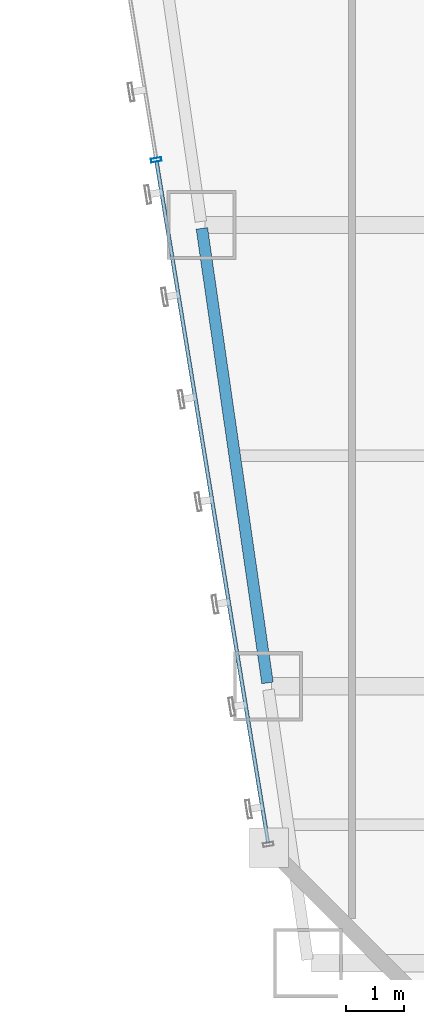
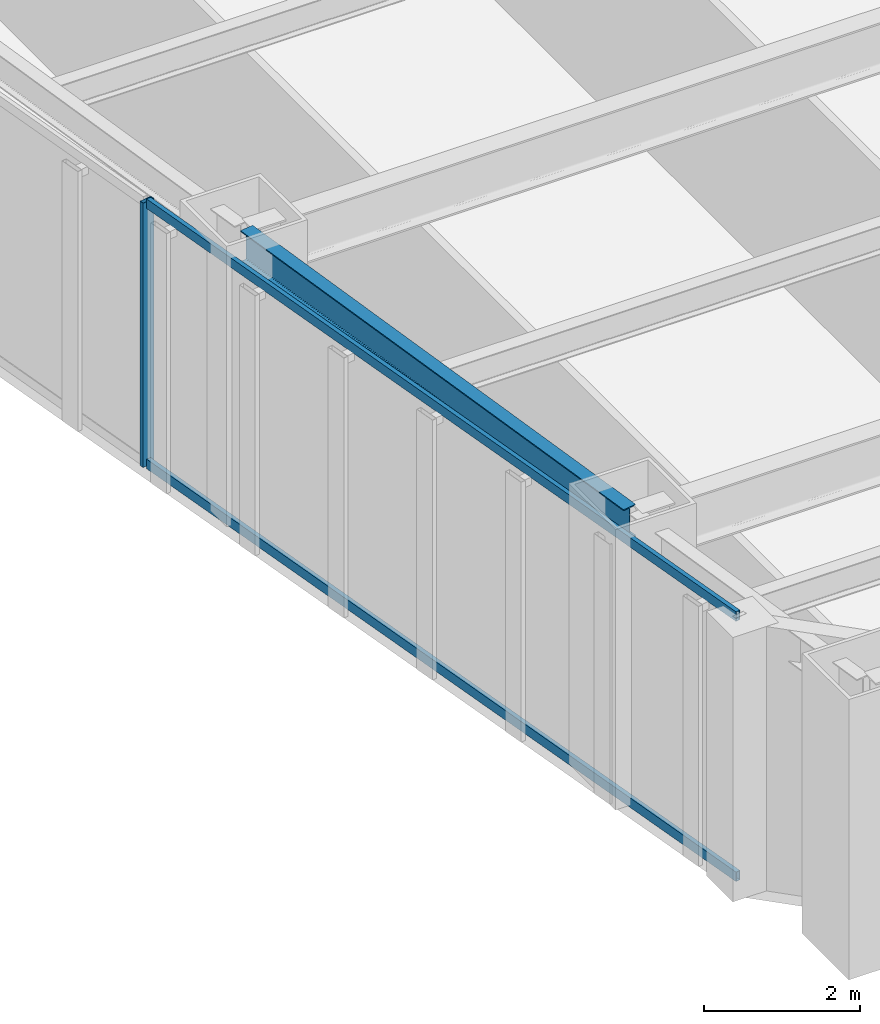
# One storey, part 5 of 49: 3 members, 1 beam, 1 element without a shape of its own.
"""IFC4 building model written with IfcOpenShell, lengths in metres."""

from ifc_helpers import new_model, si_unit, direction, frame, origin, origin_2d, place, context, subcontext, project, spatial, hollow_rectangle, i_section, extrude, material, material_profile, profile_set, type_object, element, aggregate, save


model = new_model("IFC4")

# Units and contexts
model_context = context("Model", 3, precision=1e-05, world=origin(), true_north=direction((0.0, 1.0)))
body_context = subcontext(model_context, "Body", "Model", "MODEL_VIEW")
ifc_project = project(units=[si_unit("LENGTHUNIT", "METRE"), si_unit("AREAUNIT", "SQUARE_METRE"), si_unit("VOLUMEUNIT", "CUBIC_METRE"), si_unit("PLANEANGLEUNIT", "RADIAN"), si_unit("MASSUNIT", "GRAM", prefix="KILO")], contexts=[model_context])

# Site, building, storey
site_placement = place(None, origin())
site = spatial("IfcSite", under=ifc_project, at=site_placement, CompositionType="ELEMENT")
building_placement = place(site_placement, origin())
building = spatial("IfcBuilding", under=site, at=building_placement, Name="Saevonmaru Cultural Tower", CompositionType="ELEMENT")
storey_placement = place(building_placement, frame((0.0, 0.0, 73.60009765625)))
storey = spatial("IfcBuildingStorey", under=building, at=storey_placement, Name="L15", CompositionType="ELEMENT", Elevation=73.60009765625)

# Beam
ifc_material_1 = material(Name="Steel SM355", Category="steel")
ifc_material_profile_1 = material_profile(ifc_material_1, i_section(OverallWidth=0.199951171875, OverallDepth=0.5, WebThickness=0.010009765625, FlangeThickness=0.01611328125, FilletRadius=0.02001953125, at=origin_2d()), Name="H-500x200x10x16")
ifc_profile_set_1 = profile_set([ifc_material_profile_1], Name="Steel SM355")
beam_type = type_object("IfcBeamType", Name="BM-SP-H500", PredefinedType="SPANDREL", material=ifc_profile_set_1)
beam_placement = place(storey_placement, frame((11.7744140625, 8.059326171875, 3.89990234375), z_axis=(-0.142871999001, 0.989741174197, 0.0), x_axis=(-0.989741174197, -0.142871999001, 0.0)))
element("IfcBeam", 1, at=beam_placement, inside=storey, type_object=beam_type, Name="L15 West Splayed Spandrel 2", PredefinedType="SPANDREL", context=body_context, shape_type="SweptSolid", body=[
    extrude(i_section(OverallWidth=0.199951171875, OverallDepth=0.5, WebThickness=0.010009765625, FlangeThickness=0.01611328125, FilletRadius=0.02001953125, at=origin_2d()), origin(), (0.0, 0.0, 1.0), 7.963134765625),
])

# Curtain wall, members
ifc_material_2 = material(Name="Satin Bronze Anodised Aluminium", Category="aluminium")
curtain_wall_type = type_object("IfcCurtainWallType", Name="CW-TYP-A", PredefinedType="NOTDEFINED", material=ifc_material_2)
curtain_wall_placement = place(storey_placement, origin())
curtain_wall = element("IfcCurtainWall", 2, at=curtain_wall_placement, inside=storey, type_object=curtain_wall_type, Name="L15 Unitised Curtain Wall E12", PredefinedType="NOTDEFINED")
ifc_material_profile_2 = material_profile(ifc_material_2, hollow_rectangle(XDim=0.06494140625, YDim=0.179931640625, WallThickness=0.00390625, at=origin_2d()), Name="ALU-MULL-180x65x4")
ifc_profile_set_2 = profile_set([ifc_material_profile_2], Name="Satin Bronze Anodised Aluminium")
member_type_1 = type_object("IfcMemberType", Name="ML-CW-180x65", PredefinedType="MULLION", material=ifc_profile_set_2)
member_1_placement = place(storey_placement, frame((9.84521484375, 17.129638671875, 0.0), z_axis=(0.0, 0.0, 1.0), x_axis=(0.161708868641, -0.986838508472, 0.0)))
member_1 = element("IfcMember", 3, at=member_1_placement, type_object=member_type_1, Name="CW-TW-L15-E12 mullion 4", PredefinedType="MULLION", context=body_context, shape_type="SweptSolid", body=[
    extrude(hollow_rectangle(XDim=0.06494140625, YDim=0.179931640625, WallThickness=0.00390625, at=origin_2d()), origin(), (0.0, 0.0, 1.0), 4.14990234375),
])
ifc_material_profile_3 = material_profile(ifc_material_2, hollow_rectangle(XDim=0.06494140625, YDim=0.14990234375, WallThickness=0.00390625, at=origin_2d()), Name="ALU-TRAN-150x65x4")
ifc_profile_set_3 = profile_set([ifc_material_profile_3], Name="Satin Bronze Anodised Aluminium")
member_type_2 = type_object("IfcMemberType", Name="TR-CW-150x65", PredefinedType="USERDEFINED", material=ifc_profile_set_3)
member_2_placement = place(storey_placement, frame((9.850341796875, 17.097412109375, 0.032470703125), z_axis=(0.161724530373, -0.986835941925, 0.0), x_axis=(0.986835941925, 0.161724530373, 0.0)))
member_2 = element("IfcMember", 4, at=member_2_placement, type_object=member_type_2, Name="CW-TW-L15-E12 transom 4.1", ObjectType="TRANSOM", PredefinedType="USERDEFINED", context=body_context, shape_type="SweptSolid", body=[
    extrude(hollow_rectangle(XDim=0.06494140625, YDim=0.14990234375, WallThickness=0.00390625, at=origin_2d()), origin(), (0.0, 0.0, 1.0), 11.963623046875),
])
member_3_placement = place(storey_placement, frame((9.850341796875, 17.097412109375, 4.117431640625), z_axis=(0.161724530373, -0.986835941925, 0.0), x_axis=(0.986835941925, 0.161724530373, 0.0)))
member_3 = element("IfcMember", 5, at=member_3_placement, type_object=member_type_2, Name="CW-TW-L15-E12 transom 4.2", ObjectType="TRANSOM", PredefinedType="USERDEFINED", context=body_context, shape_type="SweptSolid", body=[
    extrude(hollow_rectangle(XDim=0.06494140625, YDim=0.14990234375, WallThickness=0.00390625, at=origin_2d()), origin(), (0.0, 0.0, 1.0), 11.963623046875),
])
aggregate(curtain_wall, [member_1, member_2, member_3])

save(model, "model.ifc")
